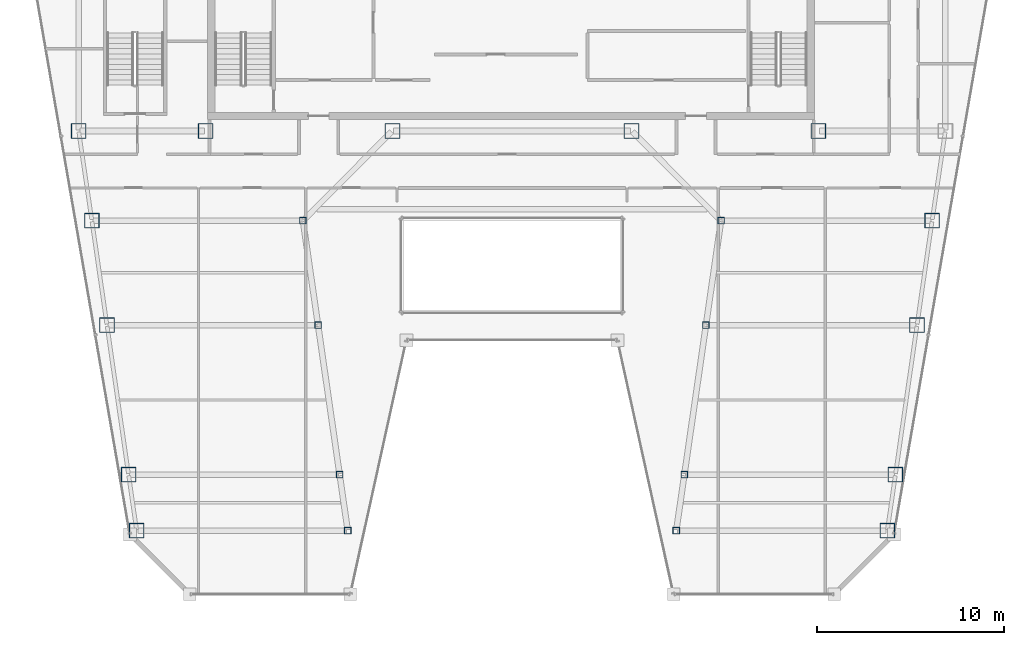
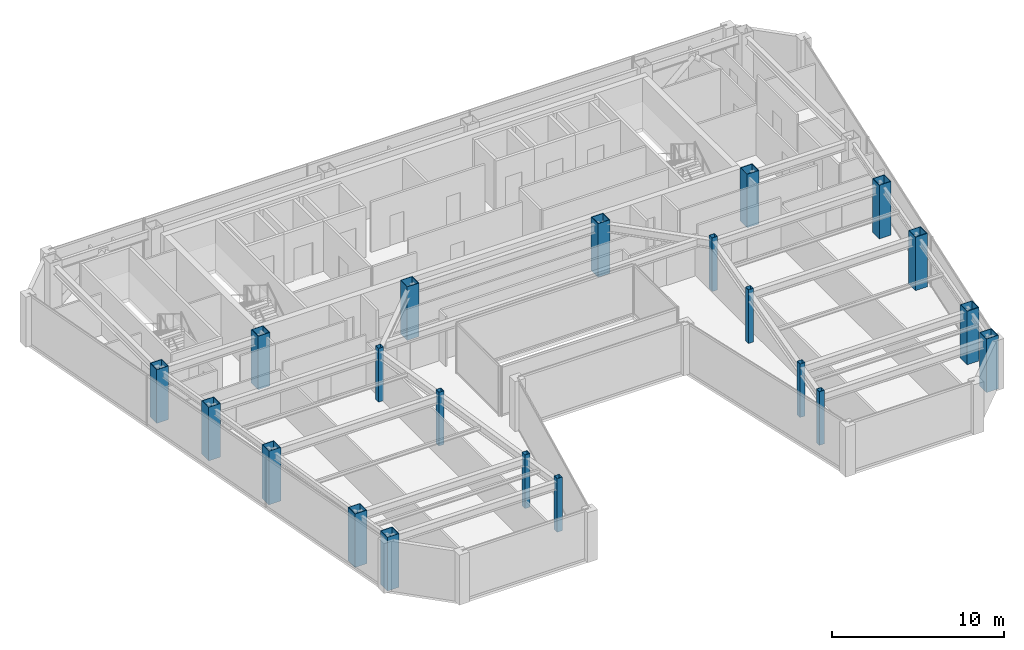
# One storey, part 1 of 32: 21 columns.
"""IFC4 building model written with IfcOpenShell, lengths in metres."""

from ifc_helpers import new_model, si_unit, direction, frame, origin, origin_2d, place, context, subcontext, project, spatial, hollow_rectangle, extrude, material, material_profile, profile_set, type_object, element, save


model = new_model("IFC4")

# Units and contexts
model_context = context("Model", 3, precision=1e-05, world=origin(), true_north=direction((0.0, 1.0)))
body_context = subcontext(model_context, "Body", "Model", "MODEL_VIEW")
ifc_project = project(units=[si_unit("LENGTHUNIT", "METRE"), si_unit("AREAUNIT", "SQUARE_METRE"), si_unit("VOLUMEUNIT", "CUBIC_METRE"), si_unit("PLANEANGLEUNIT", "RADIAN"), si_unit("MASSUNIT", "GRAM", prefix="KILO")], contexts=[model_context])

# Site, building, storey
site_placement = place(None, origin())
site = spatial("IfcSite", under=ifc_project, at=site_placement, CompositionType="ELEMENT")
building_placement = place(site_placement, origin())
building = spatial("IfcBuilding", under=site, at=building_placement, Name="Saevonmaru Cultural Tower", CompositionType="ELEMENT")
storey_placement = place(building_placement, frame((0.0, 0.0, 245.800048828125)))
storey = spatial("IfcBuildingStorey", under=building, at=storey_placement, Name="L57", CompositionType="ELEMENT", Elevation=245.800048828125)

# Columns
ifc_material_1 = material(Name="Steel SM420", Category="steel")
ifc_material_profile_1 = material_profile(ifc_material_1, hollow_rectangle(XDim=0.800048828125, YDim=0.800048828125, WallThickness=0.035888671875, at=origin_2d()), Name="BOX-800x800x36")
ifc_profile_set_1 = profile_set([ifc_material_profile_1], Name="Steel SM420")
column_type_1 = type_object("IfcColumnType", Name="COL-BOX-800", PredefinedType="COLUMN", material=ifc_profile_set_1)
for number, where, z_axis, x_axis, name in (
    (1, (6.800048828125, 42.39990234375, 0.0), (0.0, 0.0, 1.0), (1.0, 0.0, 0.0), "L57 Column TC-S1C"),
    (2, (13.60009765625, 42.39990234375, 0.0), (0.0, 0.0, 1.0), (1.0, 0.0, 0.0), "L57 Column TC-S2C"),
    (3, (23.60009765625, 42.39990234375, 0.0), (0.0, 0.0, 1.0), (1.0, 0.0, 0.0), "L57 Column TC-S3C"),
    (4, (36.39990234375, 42.39990234375, 0.0), (0.0, 0.0, 1.0), (1.0, 0.0, 0.0), "L57 Column TC-S4C"),
    (5, (46.39990234375, 42.39990234375, 0.0), (0.0, 0.0, 1.0), (1.0, 0.0, 0.0), "L57 Column TC-S5C"),
    (6, (9.906005859375, 21.0, 0.0), (0.0, 0.0, 1.0), (1.0, 0.0, 0.0), "L57 Column TC-WO-Y210"),
    (7, (50.093994140625, 21.0, 0.0), (0.0, 0.0, 1.0), (1.0, 0.0, 0.0), "L57 Column TC-EO-Y210"),
    (8, (9.471923828125, 24.0, 0.0), (0.0, 0.0, 1.0), (1.0, 0.0, 0.0), "L57 Column TC-WO-Y240"),
    (9, (50.528076171875, 24.0, 0.0), (0.0, 0.0, 1.0), (1.0, 0.0, 0.0), "L57 Column TC-EO-Y240"),
    (10, (8.31689453125, 32.0, 0.0), (0.0, 0.0, 1.0), (1.0, 0.0, 0.0), "L57 Column TC-WO-Y320"),
    (11, (51.68310546875, 32.0, 0.0), (0.0, 0.0, 1.0), (1.0, 0.0, 0.0), "L57 Column TC-EO-Y320"),
    (12, (7.508056640625, 37.60009765625, 0.0), (0.0, 0.0, 1.0), (1.0, 0.0, 0.0), "L57 Column TC-WO-Y376"),
    (13, (52.491943359375, 37.60009765625, 0.0), (0.0, 0.0, 1.0), (1.0, 0.0, 0.0), "L57 Column TC-EO-Y376"),
):
    element("IfcColumn", number, at=place(storey_placement, frame(where, z_axis=z_axis, x_axis=x_axis)), inside=storey, type_object=column_type_1, Name=name, PredefinedType="COLUMN", context=body_context, shape_type="SweptSolid", body=[
        extrude(hollow_rectangle(XDim=0.800048828125, YDim=0.800048828125, WallThickness=0.035888671875, at=origin_2d()), origin(), (0.0, 0.0, 1.0), 3.800048828125),
    ])
ifc_material_2 = material(Name="Steel SM355", Category="steel")
ifc_material_profile_2 = material_profile(ifc_material_2, hollow_rectangle(XDim=0.35009765625, YDim=0.35009765625, WallThickness=0.01611328125, at=origin_2d()), Name="SHS-350x350x16")
ifc_profile_set_2 = profile_set([ifc_material_profile_2], Name="Steel SM355")
column_type_2 = type_object("IfcColumnType", Name="COL-SHS-350", PredefinedType="COLUMN", material=ifc_profile_set_2)
for number, where, z_axis, x_axis, name in (
    (14, (21.2060546875, 21.0, 0.0), (0.0, 0.0, 1.0), (1.0, 0.0, 0.0), "L57 Column TC-WI-Y210"),
    (15, (38.7939453125, 21.0, 0.0), (0.0, 0.0, 1.0), (1.0, 0.0, 0.0), "L57 Column TC-EI-Y210"),
    (16, (20.77197265625, 24.0, 0.0), (0.0, 0.0, 1.0), (1.0, 0.0, 0.0), "L57 Column TC-WI-Y240"),
    (17, (39.22802734375, 24.0, 0.0), (0.0, 0.0, 1.0), (1.0, 0.0, 0.0), "L57 Column TC-EI-Y240"),
    (18, (19.616943359375, 32.0, 0.0), (0.0, 0.0, 1.0), (1.0, 0.0, 0.0), "L57 Column TC-WI-Y320"),
    (19, (40.383056640625, 32.0, 0.0), (0.0, 0.0, 1.0), (1.0, 0.0, 0.0), "L57 Column TC-EI-Y320"),
    (20, (18.80810546875, 37.60009765625, 0.0), (0.0, 0.0, 1.0), (1.0, 0.0, 0.0), "L57 Column TC-WI-Y376"),
    (21, (41.19189453125, 37.60009765625, 0.0), (0.0, 0.0, 1.0), (1.0, 0.0, 0.0), "L57 Column TC-EI-Y376"),
):
    element("IfcColumn", number, at=place(storey_placement, frame(where, z_axis=z_axis, x_axis=x_axis)), inside=storey, type_object=column_type_2, Name=name, PredefinedType="COLUMN", context=body_context, shape_type="SweptSolid", body=[
        extrude(hollow_rectangle(XDim=0.35009765625, YDim=0.35009765625, WallThickness=0.01611328125, at=origin_2d()), origin(), (0.0, 0.0, 1.0), 3.800048828125),
    ])

save(model, "model.ifc")
